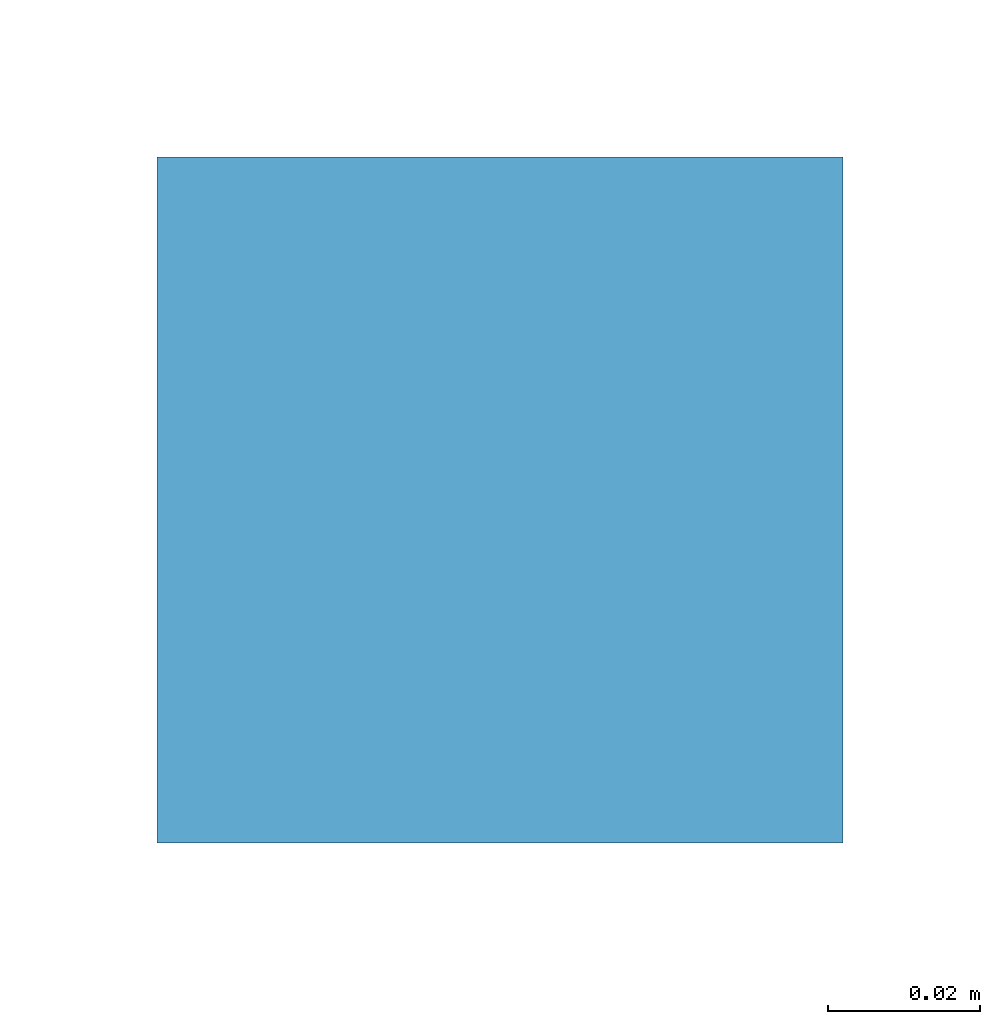
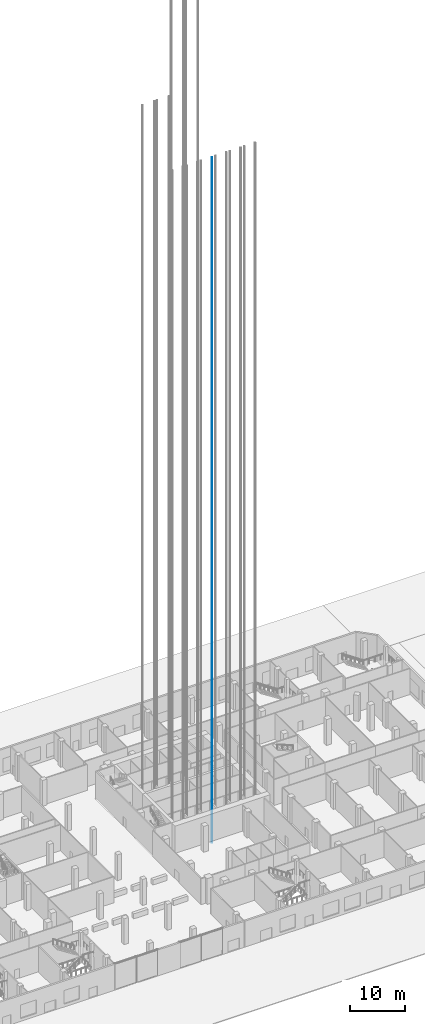
# One storey, part 17 of 55: 1 member.
"""IFC4 building model written with IfcOpenShell, lengths in metres."""

from ifc_helpers import new_model, si_unit, direction, frame, origin, origin_2d, place, context, subcontext, project, spatial, rectangle, extrude, material, material_profile, profile_set, type_object, element, save


model = new_model("IFC4")

# Units and contexts
model_context = context("Model", 3, precision=1e-05, world=origin(), true_north=direction((0.0, 1.0)))
body_context = subcontext(model_context, "Body", "Model", "MODEL_VIEW")
ifc_project = project(units=[si_unit("LENGTHUNIT", "METRE"), si_unit("AREAUNIT", "SQUARE_METRE"), si_unit("VOLUMEUNIT", "CUBIC_METRE"), si_unit("PLANEANGLEUNIT", "RADIAN"), si_unit("MASSUNIT", "GRAM", prefix="KILO")], contexts=[model_context])

# Site, building, storey
site_placement = place(None, origin())
site = spatial("IfcSite", under=ifc_project, at=site_placement, CompositionType="ELEMENT")
building_placement = place(site_placement, origin())
building = spatial("IfcBuilding", under=site, at=building_placement, Name="Cinnabar Reach Civic Tower", CompositionType="ELEMENT")
storey_placement = place(building_placement, origin())
storey = spatial("IfcBuildingStorey", under=building, at=storey_placement, Name="L00", CompositionType="ELEMENT", Elevation=0.0)

# Member
ifc_material = material(Name="Steel Q355B", Category="steel")
ifc_material_profile = material_profile(ifc_material, rectangle(XDim=0.09, YDim=0.09, at=origin_2d()), Name="T1 lift guide rail")
ifc_profile_set = profile_set([ifc_material_profile], Name="Steel Q355B")
member_type = type_object("IfcMemberType", Name="T1 lift guide rail", PredefinedType="USERDEFINED", material=ifc_profile_set)
member_placement = place(storey_placement, frame((13.13, 22.5, -2.5), z_axis=(0.0, 0.0, 1.0), x_axis=(1.0, 0.0, 0.0)))
element("IfcMember", 1, at=member_placement, inside=storey, type_object=member_type, Name="T1-LR3 guide rail 2", ObjectType="GUIDE RAIL", PredefinedType="USERDEFINED", context=body_context, shape_type="SweptSolid", body=[
    extrude(rectangle(XDim=0.09, YDim=0.09, at=origin_2d()), origin(), (0.0, 0.0, 1.0), 150.9),
])

save(model, "model.ifc")
